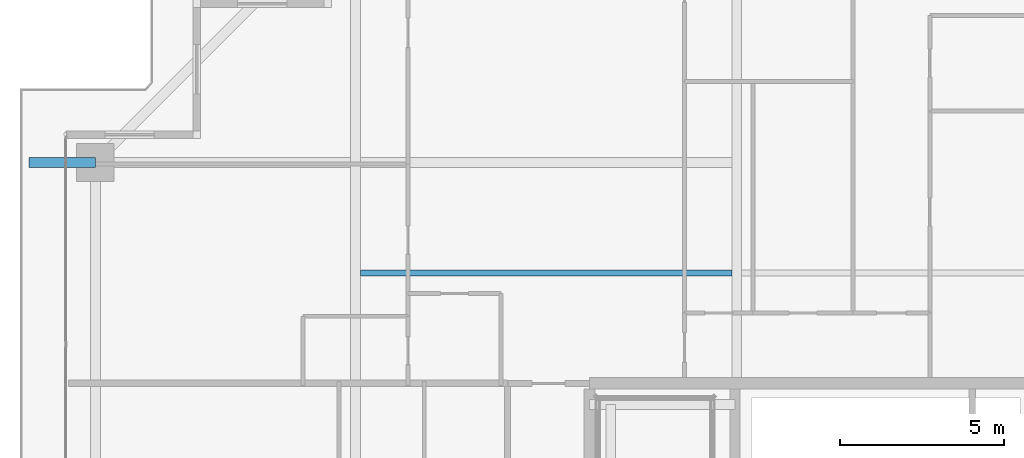
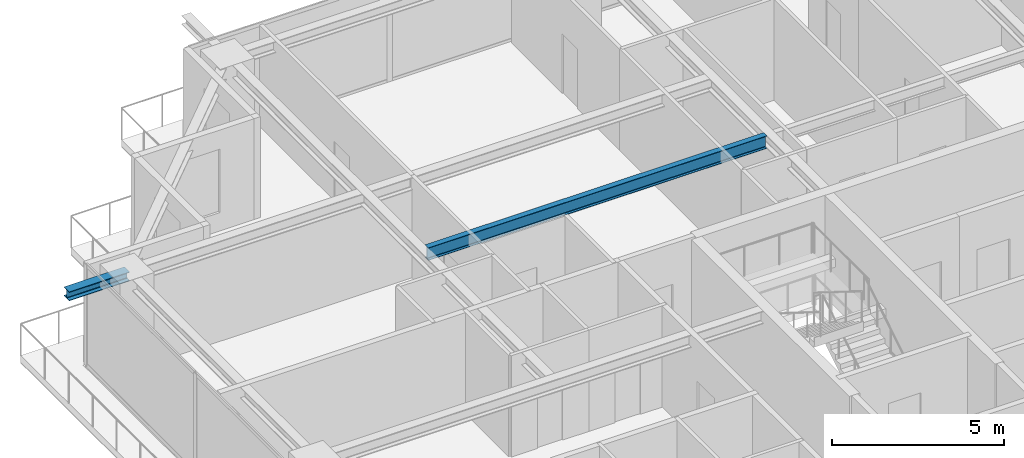
# One storey, part 17 of 38: 2 beams.
"""IFC4 building model written with IfcOpenShell, lengths in metres."""

from ifc_helpers import new_model, si_unit, direction, frame, origin, origin_2d, place, context, subcontext, project, spatial, i_section, extrude, source, transform, mapped, material, material_profile, profile_set, type_object, element, save


model = new_model("IFC4")

# Units and contexts
model_context = context("Model", 3, precision=1e-05, world=origin(), true_north=direction((0.0, 1.0)))
body_context = subcontext(model_context, "Body", "Model", "MODEL_VIEW")
ifc_project = project(units=[si_unit("LENGTHUNIT", "METRE"), si_unit("AREAUNIT", "SQUARE_METRE"), si_unit("VOLUMEUNIT", "CUBIC_METRE"), si_unit("PLANEANGLEUNIT", "RADIAN"), si_unit("MASSUNIT", "GRAM", prefix="KILO")], contexts=[model_context])

# Site, building, storey
site_placement = place(None, origin())
site = spatial("IfcSite", under=ifc_project, at=site_placement, CompositionType="ELEMENT")
building_placement = place(site_placement, origin())
building = spatial("IfcBuilding", under=site, at=building_placement, Name="Serunith Strait Residences", CompositionType="ELEMENT")
storey_placement = place(building_placement, frame((0.0, 0.0, 245.10009765625)))
storey = spatial("IfcBuildingStorey", under=building, at=storey_placement, Name="L61", CompositionType="ELEMENT", Elevation=245.10009765625)

# Beams
ifc_material = material(Name="Steel S355J2", Category="steel")
ifc_material_profile_1 = material_profile(ifc_material, i_section(OverallWidth=0.300048828125, OverallDepth=0.320068359375, WebThickness=0.011474609375, FlangeThickness=0.0205078125, FilletRadius=0.027099609375, at=origin_2d()), Name="HEB 320")
ifc_profile_set_1 = profile_set([ifc_material_profile_1], Name="Steel S355J2")
beam_type_1 = type_object("IfcBeamType", Name="BM-HEB320", PredefinedType="BEAM", material=ifc_profile_set_1)
shared_shape_1 = source(origin(), body_context, "Body", "SweptSolid", [
    extrude(i_section(OverallWidth=0.300048828125, OverallDepth=0.320068359375, WebThickness=0.011474609375, FlangeThickness=0.0205078125, FilletRadius=0.027099609375, at=origin_2d()), origin(), (0.0, 0.0, 1.0), 2.030029296875),
])
beam_1_placement = place(storey_placement, frame((8.300048828125, 40.35009765625, 3.39697265625), z_axis=(-1.0, 0.0, 0.0), x_axis=(0.0, -1.0, 0.0)))
element("IfcBeam", 1, at=beam_1_placement, inside=storey, type_object=beam_type_1, Name="L62 Cantilevered Balcony Rib TC-W4", PredefinedType="BEAM", context=body_context, shape_type="MappedRepresentation", body=[
    mapped(shared_shape_1, transform((0.0, 0.0, 0.0), scale=1.0)),
])
ifc_material_profile_2 = material_profile(ifc_material, i_section(OverallWidth=0.18994140625, OverallDepth=0.449951171875, WebThickness=0.009521484375, FlangeThickness=0.0146484375, FilletRadius=0.02099609375, at=origin_2d()), Name="IPE 450")
ifc_profile_set_2 = profile_set([ifc_material_profile_2], Name="Steel S355J2")
beam_type_2 = type_object("IfcBeamType", Name="BM-IPE450", PredefinedType="JOIST", material=ifc_profile_set_2)
shared_shape_2 = source(origin(), body_context, "Body", "SweptSolid", [
    extrude(i_section(OverallWidth=0.18994140625, OverallDepth=0.449951171875, WebThickness=0.009521484375, FlangeThickness=0.0146484375, FilletRadius=0.02099609375, at=origin_2d()), origin(), (0.0, 0.0, 1.0), 11.35009765625),
])
beam_2_placement = place(storey_placement, frame((16.39990234375, 36.97509765625, 3.36181640625), z_axis=(1.0, 0.0, 0.0), x_axis=(0.0, 1.0, 0.0)))
element("IfcBeam", 2, at=beam_2_placement, inside=storey, type_object=beam_type_2, Name="L61 Composite Floor Joist 04", PredefinedType="JOIST", context=body_context, shape_type="MappedRepresentation", body=[
    mapped(shared_shape_2, transform((0.0, 0.0, 0.0), scale=1.0)),
])

save(model, "model.ifc")
